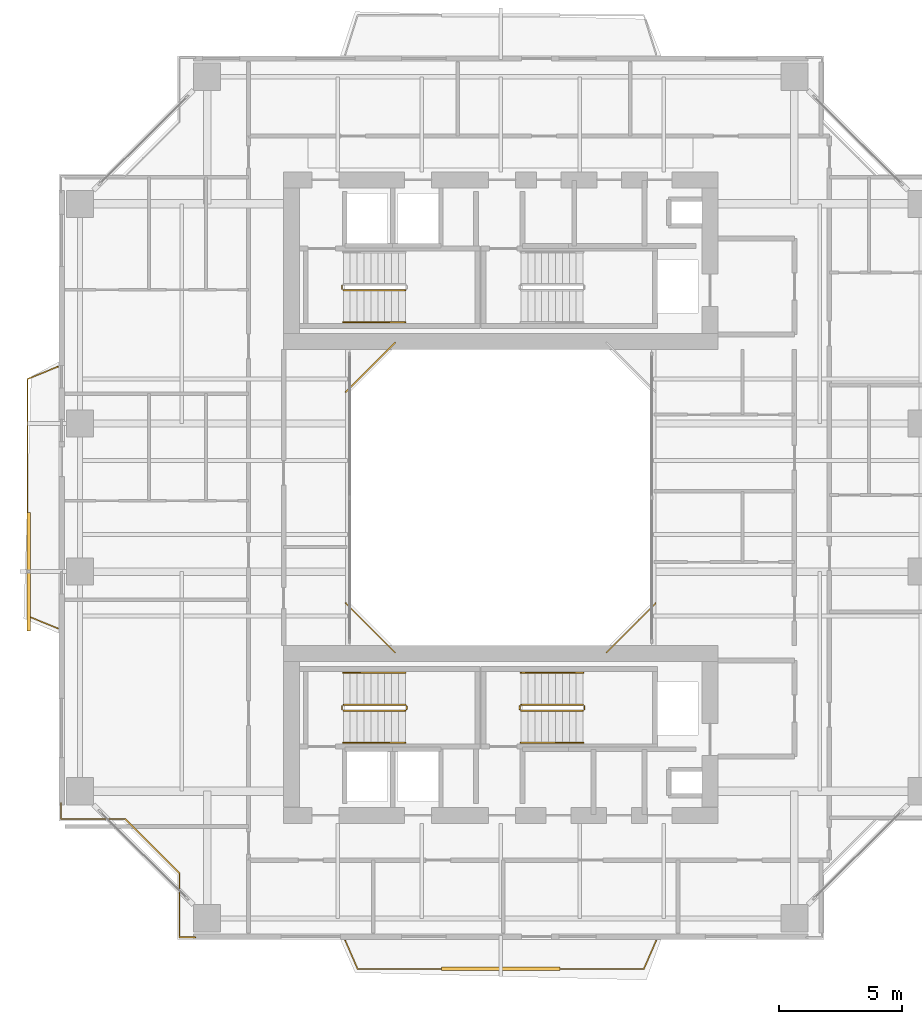
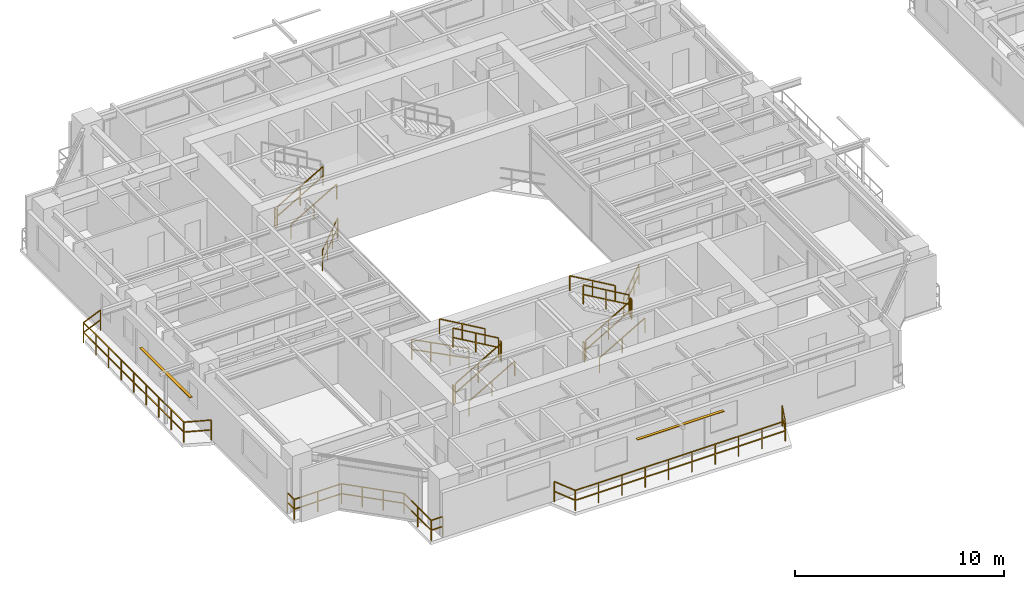
# One storey, part 21 of 24: 21 railings, 2 shading devices.
"""IFC4 building model written with IfcOpenShell, lengths in metres."""

from ifc_helpers import new_model, si_unit, direction, frame, origin, origin_2d, place, context, subcontext, project, spatial, rectangle, extrude, source, transform, mapped, material, material_profile, profile_set, type_object, element, save


model = new_model("IFC4")

# Units and contexts
model_context = context("Model", 3, precision=1e-05, world=origin(), true_north=direction((0.0, 1.0)))
body_context = subcontext(model_context, "Body", "Model", "MODEL_VIEW")
ifc_project = project(units=[si_unit("LENGTHUNIT", "METRE"), si_unit("AREAUNIT", "SQUARE_METRE"), si_unit("VOLUMEUNIT", "CUBIC_METRE"), si_unit("PLANEANGLEUNIT", "RADIAN"), si_unit("MASSUNIT", "GRAM", prefix="KILO"), si_unit("THERMODYNAMICTEMPERATUREUNIT", "KELVIN"), si_unit("POWERUNIT", "WATT")], contexts=[model_context])

# Site, building, storey
site_placement = place(None, origin())
site = spatial("IfcSite", under=ifc_project, at=site_placement, CompositionType="ELEMENT")
building_placement = place(site_placement, origin())
building = spatial("IfcBuilding", under=site, at=building_placement, Name="Qiaomeng Ring Towers", CompositionType="ELEMENT")
storey_placement = place(building_placement, frame((0.0, 0.0, 110.0)))
storey = spatial("IfcBuildingStorey", under=building, at=storey_placement, Name="L31", CompositionType="ELEMENT", Elevation=110.0)

# Railings
ifc_material_1 = material(Name="Low-E pale-green laminated safety glass", Category="glass")
railing_type_1 = type_object("IfcRailingType", Name="ARC-RL-BAL1", PredefinedType="BALUSTRADE", material=ifc_material_1)
railing_1_placement = place(storey_placement, frame((23.280029296875, 16.719970703125, 0.0)))
element("IfcRailing", 1, at=railing_1_placement, inside=storey, type_object=railing_type_1, Name="L31 Balustrade ARC-BAL-WELL1-L31-1", PredefinedType="BALUSTRADE", context=body_context, shape_type="SweptSolid", body=[
    extrude(rectangle(XDim=0.048095703125, YDim=0.048095703125, at=origin_2d()), frame((0.0, 0.0, 1.17578125), z_axis=(0.707106781187, 0.707106781187, 0.0), x_axis=(-0.707106781187, 0.707106781187, 0.0)), (0.0, 0.0, 1.0), 2.828369140625),
    extrude(rectangle(XDim=0.048095703125, YDim=0.048095703125, at=origin_2d()), frame((0.0, 0.0, 0.60009765625), z_axis=(0.707106781187, 0.707106781187, 0.0), x_axis=(-0.707106781187, 0.707106781187, 0.0)), (0.0, 0.0, 1.0), 2.828369140625),
    extrude(rectangle(XDim=0.0419921875, YDim=0.0419921875, at=origin_2d()), origin(), (0.0, 0.0, 1.0), 1.15185546875),
    extrude(rectangle(XDim=0.0419921875, YDim=0.0419921875, at=origin_2d()), frame((0.666748046875, 0.666748046875, 0.0)), (0.0, 0.0, 1.0), 1.15185546875),
    extrude(rectangle(XDim=0.0419921875, YDim=0.0419921875, at=origin_2d()), frame((1.333251953125, 1.333251953125, 0.0)), (0.0, 0.0, 1.0), 1.15185546875),
    extrude(rectangle(XDim=0.0419921875, YDim=0.0419921875, at=origin_2d()), frame((2.0, 2.0, 0.0)), (0.0, 0.0, 1.0), 1.15185546875),
])
railing_2_placement = place(storey_placement, frame((14.719970703125, 29.280029296875, 0.0)))
element("IfcRailing", 2, at=railing_2_placement, inside=storey, type_object=railing_type_1, Name="L31 Balustrade ARC-BAL-WELL1-L31-3", PredefinedType="BALUSTRADE", context=body_context, shape_type="SweptSolid", body=[
    extrude(rectangle(XDim=0.048095703125, YDim=0.048095703125, at=origin_2d()), frame((0.0, 0.0, 1.17578125), z_axis=(-0.707106781187, -0.707106781187, 0.0), x_axis=(0.707106781187, -0.707106781187, 0.0)), (0.0, 0.0, 1.0), 2.828369140625),
    extrude(rectangle(XDim=0.048095703125, YDim=0.048095703125, at=origin_2d()), frame((0.0, 0.0, 0.60009765625), z_axis=(-0.707106781187, -0.707106781187, 0.0), x_axis=(0.707106781187, -0.707106781187, 0.0)), (0.0, 0.0, 1.0), 2.828369140625),
    extrude(rectangle(XDim=0.0419921875, YDim=0.0419921875, at=origin_2d()), origin(), (0.0, 0.0, 1.0), 1.15185546875),
    extrude(rectangle(XDim=0.0419921875, YDim=0.0419921875, at=origin_2d()), frame((-0.666748046875, -0.666748046875, 0.0)), (0.0, 0.0, 1.0), 1.15185546875),
    extrude(rectangle(XDim=0.0419921875, YDim=0.0419921875, at=origin_2d()), frame((-1.333251953125, -1.333251953125, 0.0)), (0.0, 0.0, 1.0), 1.15185546875),
    extrude(rectangle(XDim=0.0419921875, YDim=0.0419921875, at=origin_2d()), frame((-2.0, -2.0, 0.0)), (0.0, 0.0, 1.0), 1.15185546875),
])
railing_3_placement = place(storey_placement, frame((12.719970703125, 18.719970703125, 0.0)))
element("IfcRailing", 3, at=railing_3_placement, inside=storey, type_object=railing_type_1, Name="L31 Balustrade ARC-BAL-WELL1-L31-4", PredefinedType="BALUSTRADE", context=body_context, shape_type="SweptSolid", body=[
    extrude(rectangle(XDim=0.048095703125, YDim=0.048095703125, at=origin_2d()), frame((0.0, 0.0, 1.17578125), z_axis=(0.707106781187, -0.707106781187, 0.0), x_axis=(0.707106781187, 0.707106781187, 0.0)), (0.0, 0.0, 1.0), 2.828369140625),
    extrude(rectangle(XDim=0.048095703125, YDim=0.048095703125, at=origin_2d()), frame((0.0, 0.0, 0.60009765625), z_axis=(0.707106781187, -0.707106781187, 0.0), x_axis=(0.707106781187, 0.707106781187, 0.0)), (0.0, 0.0, 1.0), 2.828369140625),
    extrude(rectangle(XDim=0.0419921875, YDim=0.0419921875, at=origin_2d()), origin(), (0.0, 0.0, 1.0), 1.15185546875),
    extrude(rectangle(XDim=0.0419921875, YDim=0.0419921875, at=origin_2d()), frame((0.666748046875, -0.666748046875, 0.0)), (0.0, 0.0, 1.0), 1.15185546875),
    extrude(rectangle(XDim=0.0419921875, YDim=0.0419921875, at=origin_2d()), frame((1.333251953125, -1.333251953125, 0.0)), (0.0, 0.0, 1.0), 1.15185546875),
    extrude(rectangle(XDim=0.0419921875, YDim=0.0419921875, at=origin_2d()), frame((2.0, -2.0, 0.0)), (0.0, 0.0, 1.0), 1.15185546875),
])
railing_4_placement = place(storey_placement, frame((1.179931640625, 10.6298828125, 0.0)))
element("IfcRailing", 4, at=railing_4_placement, inside=storey, type_object=railing_type_1, Name="L31 Balustrade ARC-BAL-NOTCH1-L31-SW", PredefinedType="BALUSTRADE", context=body_context, shape_type="SweptSolid", body=[
    extrude(rectangle(XDim=0.048095703125, YDim=0.048095703125, at=origin_2d()), frame((0.0, 0.0, 1.17578125), z_axis=(0.0, -1.0, 0.0), x_axis=(1.0, 0.0, 0.0)), (0.0, 0.0, 1.0), 0.64990234375),
    extrude(rectangle(XDim=0.048095703125, YDim=0.048095703125, at=origin_2d()), frame((0.0, 0.0, 0.60009765625), z_axis=(0.0, -1.0, 0.0), x_axis=(1.0, 0.0, 0.0)), (0.0, 0.0, 1.0), 0.64990234375),
    extrude(rectangle(XDim=0.048095703125, YDim=0.048095703125, at=origin_2d()), frame((0.0, -0.64990234375, 1.17578125), z_axis=(1.0, 0.0, 0.0), x_axis=(0.0, 1.0, 0.0)), (0.0, 0.0, 1.0), 2.60009765625),
    extrude(rectangle(XDim=0.048095703125, YDim=0.048095703125, at=origin_2d()), frame((0.0, -0.64990234375, 0.60009765625), z_axis=(1.0, 0.0, 0.0), x_axis=(0.0, 1.0, 0.0)), (0.0, 0.0, 1.0), 2.60009765625),
    extrude(rectangle(XDim=0.048095703125, YDim=0.048095703125, at=origin_2d()), frame((2.60009765625, -0.64990234375, 1.17578125), z_axis=(0.707106781187, -0.707106781187, 0.0), x_axis=(0.707106781187, 0.707106781187, 0.0)), (0.0, 0.0, 1.0), 3.111083984375),
    extrude(rectangle(XDim=0.048095703125, YDim=0.048095703125, at=origin_2d()), frame((2.60009765625, -0.64990234375, 0.60009765625), z_axis=(0.707106781187, -0.707106781187, 0.0), x_axis=(0.707106781187, 0.707106781187, 0.0)), (0.0, 0.0, 1.0), 3.111083984375),
    extrude(rectangle(XDim=0.048095703125, YDim=0.048095703125, at=origin_2d()), frame((4.800048828125, -2.849853515625, 1.17578125), z_axis=(0.0, -1.0, 0.0), x_axis=(1.0, 0.0, 0.0)), (0.0, 0.0, 1.0), 2.60009765625),
    extrude(rectangle(XDim=0.048095703125, YDim=0.048095703125, at=origin_2d()), frame((4.800048828125, -2.849853515625, 0.60009765625), z_axis=(0.0, -1.0, 0.0), x_axis=(1.0, 0.0, 0.0)), (0.0, 0.0, 1.0), 2.60009765625),
    extrude(rectangle(XDim=0.048095703125, YDim=0.048095703125, at=origin_2d()), frame((4.800048828125, -5.449951171875, 1.17578125), z_axis=(1.0, 0.0, 0.0), x_axis=(0.0, 1.0, 0.0)), (0.0, 0.0, 1.0), 0.64990234375),
    extrude(rectangle(XDim=0.048095703125, YDim=0.048095703125, at=origin_2d()), frame((4.800048828125, -5.449951171875, 0.60009765625), z_axis=(1.0, 0.0, 0.0), x_axis=(0.0, 1.0, 0.0)), (0.0, 0.0, 1.0), 0.64990234375),
    extrude(rectangle(XDim=0.0419921875, YDim=0.0419921875, at=origin_2d()), origin(), (0.0, 0.0, 1.0), 1.15185546875),
    extrude(rectangle(XDim=0.0419921875, YDim=0.0419921875, at=origin_2d()), frame((0.0, -0.64990234375, 0.0)), (0.0, 0.0, 1.0), 1.15185546875),
    extrude(rectangle(XDim=0.0419921875, YDim=0.0419921875, at=origin_2d()), frame((1.300048828125, -0.64990234375, 0.0)), (0.0, 0.0, 1.0), 1.15185546875),
    extrude(rectangle(XDim=0.0419921875, YDim=0.0419921875, at=origin_2d()), frame((2.60009765625, -0.64990234375, 0.0)), (0.0, 0.0, 1.0), 1.15185546875),
    extrude(rectangle(XDim=0.0419921875, YDim=0.0419921875, at=origin_2d()), frame((3.33349609375, -1.38330078125, 0.0)), (0.0, 0.0, 1.0), 1.15185546875),
    extrude(rectangle(XDim=0.0419921875, YDim=0.0419921875, at=origin_2d()), frame((4.066650390625, -2.116455078125, 0.0)), (0.0, 0.0, 1.0), 1.15185546875),
    extrude(rectangle(XDim=0.0419921875, YDim=0.0419921875, at=origin_2d()), frame((4.800048828125, -2.849853515625, 0.0)), (0.0, 0.0, 1.0), 1.15185546875),
    extrude(rectangle(XDim=0.0419921875, YDim=0.0419921875, at=origin_2d()), frame((4.800048828125, -4.14990234375, 0.0)), (0.0, 0.0, 1.0), 1.15185546875),
    extrude(rectangle(XDim=0.0419921875, YDim=0.0419921875, at=origin_2d()), frame((4.800048828125, -5.449951171875, 0.0)), (0.0, 0.0, 1.0), 1.15185546875),
    extrude(rectangle(XDim=0.0419921875, YDim=0.0419921875, at=origin_2d()), frame((5.449951171875, -5.449951171875, 0.0)), (0.0, 0.0, 1.0), 1.15185546875),
])
railing_5_placement = place(storey_placement, frame((12.699951171875, 5.050048828125, 0.0)))
element("IfcRailing", 5, at=railing_5_placement, inside=storey, type_object=railing_type_1, Name="L31 Balustrade ARC-BAL-L31-T1-S", PredefinedType="BALUSTRADE", context=body_context, shape_type="SweptSolid", body=[
    extrude(rectangle(XDim=0.048095703125, YDim=0.048095703125, at=origin_2d()), frame((0.0, 0.0, 1.17578125), z_axis=(0.39868340127, -0.917088624699, 0.0), x_axis=(0.917088624699, 0.39868340127, 0.0)), (0.0, 0.0, 1.0), 1.254150390625),
    extrude(rectangle(XDim=0.048095703125, YDim=0.048095703125, at=origin_2d()), frame((0.0, 0.0, 0.60009765625), z_axis=(0.39868340127, -0.917088624699, 0.0), x_axis=(0.917088624699, 0.39868340127, 0.0)), (0.0, 0.0, 1.0), 1.254150390625),
    extrude(rectangle(XDim=0.048095703125, YDim=0.048095703125, at=origin_2d()), frame((0.5, -1.150146484375, 1.17578125), z_axis=(1.0, 0.0, 0.0), x_axis=(0.0, 1.0, 0.0)), (0.0, 0.0, 1.0), 11.60009765625),
    extrude(rectangle(XDim=0.048095703125, YDim=0.048095703125, at=origin_2d()), frame((0.5, -1.150146484375, 0.60009765625), z_axis=(1.0, 0.0, 0.0), x_axis=(0.0, 1.0, 0.0)), (0.0, 0.0, 1.0), 11.60009765625),
    extrude(rectangle(XDim=0.048095703125, YDim=0.048095703125, at=origin_2d()), frame((12.10009765625, -1.150146484375, 1.17578125), z_axis=(0.39868340127, 0.917088624699, 0.0), x_axis=(-0.917088624699, 0.39868340127, 0.0)), (0.0, 0.0, 1.0), 1.254150390625),
    extrude(rectangle(XDim=0.048095703125, YDim=0.048095703125, at=origin_2d()), frame((12.10009765625, -1.150146484375, 0.60009765625), z_axis=(0.39868340127, 0.917088624699, 0.0), x_axis=(-0.917088624699, 0.39868340127, 0.0)), (0.0, 0.0, 1.0), 1.254150390625),
    extrude(rectangle(XDim=0.0419921875, YDim=0.0419921875, at=origin_2d()), origin(), (0.0, 0.0, 1.0), 1.15185546875),
    extrude(rectangle(XDim=0.0419921875, YDim=0.0419921875, at=origin_2d()), frame((0.5, -1.150146484375, 0.0)), (0.0, 0.0, 1.0), 1.15185546875),
    extrude(rectangle(XDim=0.0419921875, YDim=0.0419921875, at=origin_2d()), frame((1.788818359375, -1.150146484375, 0.0)), (0.0, 0.0, 1.0), 1.15185546875),
    extrude(rectangle(XDim=0.0419921875, YDim=0.0419921875, at=origin_2d()), frame((3.077880859375, -1.150146484375, 0.0)), (0.0, 0.0, 1.0), 1.15185546875),
    extrude(rectangle(XDim=0.0419921875, YDim=0.0419921875, at=origin_2d()), frame((4.36669921875, -1.150146484375, 0.0)), (0.0, 0.0, 1.0), 1.15185546875),
    extrude(rectangle(XDim=0.0419921875, YDim=0.0419921875, at=origin_2d()), frame((5.655517578125, -1.150146484375, 0.0)), (0.0, 0.0, 1.0), 1.15185546875),
    extrude(rectangle(XDim=0.0419921875, YDim=0.0419921875, at=origin_2d()), frame((6.944580078125, -1.150146484375, 0.0)), (0.0, 0.0, 1.0), 1.15185546875),
    extrude(rectangle(XDim=0.0419921875, YDim=0.0419921875, at=origin_2d()), frame((8.2333984375, -1.150146484375, 0.0)), (0.0, 0.0, 1.0), 1.15185546875),
    extrude(rectangle(XDim=0.0419921875, YDim=0.0419921875, at=origin_2d()), frame((9.522216796875, -1.150146484375, 0.0)), (0.0, 0.0, 1.0), 1.15185546875),
    extrude(rectangle(XDim=0.0419921875, YDim=0.0419921875, at=origin_2d()), frame((10.811279296875, -1.150146484375, 0.0)), (0.0, 0.0, 1.0), 1.15185546875),
    extrude(rectangle(XDim=0.0419921875, YDim=0.0419921875, at=origin_2d()), frame((12.10009765625, -1.150146484375, 0.0)), (0.0, 0.0, 1.0), 1.15185546875),
    extrude(rectangle(XDim=0.0419921875, YDim=0.0419921875, at=origin_2d()), frame((12.60009765625, 0.0, 0.0)), (0.0, 0.0, 1.0), 1.15185546875),
])
railing_6_placement = place(storey_placement, frame((1.050048828125, 17.699951171875, 0.0)))
element("IfcRailing", 6, at=railing_6_placement, inside=storey, type_object=railing_type_1, Name="L31 Balustrade ARC-BAL-L31-T1-W", PredefinedType="BALUSTRADE", context=body_context, shape_type="SweptSolid", body=[
    extrude(rectangle(XDim=0.048095703125, YDim=0.048095703125, at=origin_2d()), frame((0.0, 0.0, 1.17578125), z_axis=(-0.926382398109, 0.376584190418, 0.0), x_axis=(-0.376584190418, -0.926382398109, 0.0)), (0.0, 0.0, 1.0), 1.32763671875),
    extrude(rectangle(XDim=0.048095703125, YDim=0.048095703125, at=origin_2d()), frame((0.0, 0.0, 0.60009765625), z_axis=(-0.926382398109, 0.376584190418, 0.0), x_axis=(-0.376584190418, -0.926382398109, 0.0)), (0.0, 0.0, 1.0), 1.32763671875),
    extrude(rectangle(XDim=0.048095703125, YDim=0.048095703125, at=origin_2d()), frame((-1.22998046875, 0.5, 1.17578125), z_axis=(0.0, 1.0, 0.0), x_axis=(-1.0, 0.0, 0.0)), (0.0, 0.0, 1.0), 9.60009765625),
    extrude(rectangle(XDim=0.048095703125, YDim=0.048095703125, at=origin_2d()), frame((-1.22998046875, 0.5, 0.60009765625), z_axis=(0.0, 1.0, 0.0), x_axis=(-1.0, 0.0, 0.0)), (0.0, 0.0, 1.0), 9.60009765625),
    extrude(rectangle(XDim=0.048095703125, YDim=0.048095703125, at=origin_2d()), frame((-1.22998046875, 10.10009765625, 1.17578125), z_axis=(0.926382398109, 0.376584190418, 0.0), x_axis=(-0.376584190418, 0.926382398109, 0.0)), (0.0, 0.0, 1.0), 1.32763671875),
    extrude(rectangle(XDim=0.048095703125, YDim=0.048095703125, at=origin_2d()), frame((-1.22998046875, 10.10009765625, 0.60009765625), z_axis=(0.926382398109, 0.376584190418, 0.0), x_axis=(-0.376584190418, 0.926382398109, 0.0)), (0.0, 0.0, 1.0), 1.32763671875),
    extrude(rectangle(XDim=0.0419921875, YDim=0.0419921875, at=origin_2d()), origin(), (0.0, 0.0, 1.0), 1.15185546875),
    extrude(rectangle(XDim=0.0419921875, YDim=0.0419921875, at=origin_2d()), frame((-1.22998046875, 0.5, 0.0)), (0.0, 0.0, 1.0), 1.15185546875),
    extrude(rectangle(XDim=0.0419921875, YDim=0.0419921875, at=origin_2d()), frame((-1.22998046875, 1.699951171875, 0.0)), (0.0, 0.0, 1.0), 1.15185546875),
    extrude(rectangle(XDim=0.0419921875, YDim=0.0419921875, at=origin_2d()), frame((-1.22998046875, 2.89990234375, 0.0)), (0.0, 0.0, 1.0), 1.15185546875),
    extrude(rectangle(XDim=0.0419921875, YDim=0.0419921875, at=origin_2d()), frame((-1.22998046875, 4.10009765625, 0.0)), (0.0, 0.0, 1.0), 1.15185546875),
    extrude(rectangle(XDim=0.0419921875, YDim=0.0419921875, at=origin_2d()), frame((-1.22998046875, 5.300048828125, 0.0)), (0.0, 0.0, 1.0), 1.15185546875),
    extrude(rectangle(XDim=0.0419921875, YDim=0.0419921875, at=origin_2d()), frame((-1.22998046875, 6.5, 0.0)), (0.0, 0.0, 1.0), 1.15185546875),
    extrude(rectangle(XDim=0.0419921875, YDim=0.0419921875, at=origin_2d()), frame((-1.22998046875, 7.7001953125, 0.0)), (0.0, 0.0, 1.0), 1.15185546875),
    extrude(rectangle(XDim=0.0419921875, YDim=0.0419921875, at=origin_2d()), frame((-1.22998046875, 8.900146484375, 0.0)), (0.0, 0.0, 1.0), 1.15185546875),
    extrude(rectangle(XDim=0.0419921875, YDim=0.0419921875, at=origin_2d()), frame((-1.22998046875, 10.10009765625, 0.0)), (0.0, 0.0, 1.0), 1.15185546875),
    extrude(rectangle(XDim=0.0419921875, YDim=0.0419921875, at=origin_2d()), frame((0.0, 10.60009765625, 0.0)), (0.0, 0.0, 1.0), 1.15185546875),
])
ifc_material_2 = material(Name="Galvanised steel", Category="steel")
railing_type_2 = type_object("IfcRailingType", Name="ARC-RL-GUARD", PredefinedType="GUARDRAIL", material=ifc_material_2)
railing_7_placement = place(storey_placement, frame((12.6201171875, 31.39990234375, 0.16259765625)))
element("IfcRailing", 7, at=railing_7_placement, inside=storey, type_object=railing_type_2, Name="L31 ST1 stair guard 1", PredefinedType="GUARDRAIL", context=body_context, shape_type="SweptSolid", body=[
    extrude(rectangle(XDim=0.048095703125, YDim=0.048095703125, at=origin_2d()), frame((0.0, 0.0, 1.1259765625), z_axis=(0.864892226395, 0.0, 0.501957604506), x_axis=(0.0, 1.0, 0.0)), (0.0, 0.0, 1.0), 2.913330078125),
    extrude(rectangle(XDim=0.048095703125, YDim=0.048095703125, at=origin_2d()), frame((0.0, 0.0, 0.574951171875), z_axis=(0.864892226395, 0.0, 0.501957604506), x_axis=(0.0, 1.0, 0.0)), (0.0, 0.0, 1.0), 2.913330078125),
    extrude(rectangle(XDim=0.0419921875, YDim=0.0419921875, at=origin_2d()), origin(), (0.0, 0.0, 1.0), 1.101806640625),
    extrude(rectangle(XDim=0.0419921875, YDim=0.0419921875, at=origin_2d()), frame((1.259765625, 0.0, 0.731201171875)), (0.0, 0.0, 1.0), 1.101806640625),
    extrude(rectangle(XDim=0.0419921875, YDim=0.0419921875, at=origin_2d()), frame((2.519775390625, 0.0, 1.46240234375)), (0.0, 0.0, 1.0), 1.101806640625),
])
railing_8_placement = place(storey_placement, frame((12.570068359375, 31.449951171875, 0.0)))
element("IfcRailing", 8, at=railing_8_placement, inside=storey, type_object=railing_type_2, Name="L31 ST1 stair guard 4", PredefinedType="GUARDRAIL", context=body_context, shape_type="SweptSolid", body=[
    extrude(rectangle(XDim=0.048095703125, YDim=0.048095703125, at=origin_2d()), frame((0.0, 0.0, 1.1259765625), z_axis=(0.0, 1.0, 0.0), x_axis=(-1.0, 0.0, 0.0)), (0.0, 0.0, 1.0), 0.14013671875),
    extrude(rectangle(XDim=0.048095703125, YDim=0.048095703125, at=origin_2d()), frame((0.0, 0.0, 0.574951171875), z_axis=(0.0, 1.0, 0.0), x_axis=(-1.0, 0.0, 0.0)), (0.0, 0.0, 1.0), 0.14013671875),
    extrude(rectangle(XDim=0.0419921875, YDim=0.0419921875, at=origin_2d()), origin(), (0.0, 0.0, 1.0), 1.101806640625),
    extrude(rectangle(XDim=0.0419921875, YDim=0.0419921875, at=origin_2d()), frame((0.0, 0.14013671875, 0.0)), (0.0, 0.0, 1.0), 1.101806640625),
])
railing_9_placement = place(storey_placement, frame((12.6201171875, 14.360107421875, 0.16259765625)))
element("IfcRailing", 9, at=railing_9_placement, inside=storey, type_object=railing_type_2, Name="L31 ST3 stair guard 1", PredefinedType="GUARDRAIL", context=body_context, shape_type="SweptSolid", body=[
    extrude(rectangle(XDim=0.048095703125, YDim=0.048095703125, at=origin_2d()), frame((0.0, 0.0, 1.1259765625), z_axis=(0.864892226395, 0.0, 0.501957604506), x_axis=(0.0, 1.0, 0.0)), (0.0, 0.0, 1.0), 2.913330078125),
    extrude(rectangle(XDim=0.048095703125, YDim=0.048095703125, at=origin_2d()), frame((0.0, 0.0, 0.574951171875), z_axis=(0.864892226395, 0.0, 0.501957604506), x_axis=(0.0, 1.0, 0.0)), (0.0, 0.0, 1.0), 2.913330078125),
    extrude(rectangle(XDim=0.0419921875, YDim=0.0419921875, at=origin_2d()), origin(), (0.0, 0.0, 1.0), 1.101806640625),
    extrude(rectangle(XDim=0.0419921875, YDim=0.0419921875, at=origin_2d()), frame((1.259765625, 0.0, 0.731201171875)), (0.0, 0.0, 1.0), 1.101806640625),
    extrude(rectangle(XDim=0.0419921875, YDim=0.0419921875, at=origin_2d()), frame((2.519775390625, 0.0, 1.46240234375)), (0.0, 0.0, 1.0), 1.101806640625),
])
railing_10_placement = place(storey_placement, frame((15.18994140625, 14.409912109375, 1.625)))
element("IfcRailing", 10, at=railing_10_placement, inside=storey, type_object=railing_type_2, Name="L31 ST3 stair guard 2", PredefinedType="GUARDRAIL", context=body_context, shape_type="SweptSolid", body=[
    extrude(rectangle(XDim=0.048095703125, YDim=0.048095703125, at=origin_2d()), frame((0.0, 0.0, 1.1259765625), z_axis=(0.0, 1.0, 0.0), x_axis=(-1.0, 0.0, 0.0)), (0.0, 0.0, 1.0), 0.14013671875),
    extrude(rectangle(XDim=0.048095703125, YDim=0.048095703125, at=origin_2d()), frame((0.0, 0.0, 0.574951171875), z_axis=(0.0, 1.0, 0.0), x_axis=(-1.0, 0.0, 0.0)), (0.0, 0.0, 1.0), 0.14013671875),
    extrude(rectangle(XDim=0.0419921875, YDim=0.0419921875, at=origin_2d()), origin(), (0.0, 0.0, 1.0), 1.101806640625),
    extrude(rectangle(XDim=0.0419921875, YDim=0.0419921875, at=origin_2d()), frame((0.0, 0.14013671875, 0.0)), (0.0, 0.0, 1.0), 1.101806640625),
])
railing_11_placement = place(storey_placement, frame((15.139892578125, 14.60009765625, 1.78759765625)))
element("IfcRailing", 11, at=railing_11_placement, inside=storey, type_object=railing_type_2, Name="L31 ST3 stair guard 3", PredefinedType="GUARDRAIL", context=body_context, shape_type="SweptSolid", body=[
    extrude(rectangle(XDim=0.048095703125, YDim=0.048095703125, at=origin_2d()), frame((0.0, 0.0, 1.1259765625), z_axis=(-0.864892226395, 0.0, 0.501957604506), x_axis=(0.0, -1.0, 0.0)), (0.0, 0.0, 1.0), 2.913330078125),
    extrude(rectangle(XDim=0.048095703125, YDim=0.048095703125, at=origin_2d()), frame((0.0, 0.0, 0.574951171875), z_axis=(-0.864892226395, 0.0, 0.501957604506), x_axis=(0.0, -1.0, 0.0)), (0.0, 0.0, 1.0), 2.913330078125),
    extrude(rectangle(XDim=0.0419921875, YDim=0.0419921875, at=origin_2d()), origin(), (0.0, 0.0, 1.0), 1.101806640625),
    extrude(rectangle(XDim=0.0419921875, YDim=0.0419921875, at=origin_2d()), frame((-1.259765625, 0.0, 0.731201171875)), (0.0, 0.0, 1.0), 1.101806640625),
    extrude(rectangle(XDim=0.0419921875, YDim=0.0419921875, at=origin_2d()), frame((-2.519775390625, 0.0, 1.46240234375)), (0.0, 0.0, 1.0), 1.101806640625),
])
railing_12_placement = place(storey_placement, frame((12.570068359375, 14.409912109375, 0.0)))
element("IfcRailing", 12, at=railing_12_placement, inside=storey, type_object=railing_type_2, Name="L31 ST3 stair guard 4", PredefinedType="GUARDRAIL", context=body_context, shape_type="SweptSolid", body=[
    extrude(rectangle(XDim=0.048095703125, YDim=0.048095703125, at=origin_2d()), frame((0.0, 0.0, 1.1259765625), z_axis=(0.0, 1.0, 0.0), x_axis=(-1.0, 0.0, 0.0)), (0.0, 0.0, 1.0), 0.14013671875),
    extrude(rectangle(XDim=0.048095703125, YDim=0.048095703125, at=origin_2d()), frame((0.0, 0.0, 0.574951171875), z_axis=(0.0, 1.0, 0.0), x_axis=(-1.0, 0.0, 0.0)), (0.0, 0.0, 1.0), 0.14013671875),
    extrude(rectangle(XDim=0.0419921875, YDim=0.0419921875, at=origin_2d()), origin(), (0.0, 0.0, 1.0), 1.101806640625),
    extrude(rectangle(XDim=0.0419921875, YDim=0.0419921875, at=origin_2d()), frame((0.0, 0.14013671875, 0.0)), (0.0, 0.0, 1.0), 1.101806640625),
])
railing_13_placement = place(storey_placement, frame((19.820068359375, 14.360107421875, 0.16259765625)))
element("IfcRailing", 13, at=railing_13_placement, inside=storey, type_object=railing_type_2, Name="L31 ST4 stair guard 1", PredefinedType="GUARDRAIL", context=body_context, shape_type="SweptSolid", body=[
    extrude(rectangle(XDim=0.048095703125, YDim=0.048095703125, at=origin_2d()), frame((0.0, 0.0, 1.1259765625), z_axis=(0.864913338283, 0.0, 0.50192122615), x_axis=(0.0, 1.0, 0.0)), (0.0, 0.0, 1.0), 2.91357421875),
    extrude(rectangle(XDim=0.048095703125, YDim=0.048095703125, at=origin_2d()), frame((0.0, 0.0, 0.574951171875), z_axis=(0.864913338283, 0.0, 0.50192122615), x_axis=(0.0, 1.0, 0.0)), (0.0, 0.0, 1.0), 2.91357421875),
    extrude(rectangle(XDim=0.0419921875, YDim=0.0419921875, at=origin_2d()), origin(), (0.0, 0.0, 1.0), 1.101806640625),
    extrude(rectangle(XDim=0.0419921875, YDim=0.0419921875, at=origin_2d()), frame((1.260009765625, 0.0, 0.731201171875)), (0.0, 0.0, 1.0), 1.101806640625),
    extrude(rectangle(XDim=0.0419921875, YDim=0.0419921875, at=origin_2d()), frame((2.52001953125, 0.0, 1.46240234375)), (0.0, 0.0, 1.0), 1.101806640625),
])
railing_14_placement = place(storey_placement, frame((22.389892578125, 14.409912109375, 1.625)))
element("IfcRailing", 14, at=railing_14_placement, inside=storey, type_object=railing_type_2, Name="L31 ST4 stair guard 2", PredefinedType="GUARDRAIL", context=body_context, shape_type="SweptSolid", body=[
    extrude(rectangle(XDim=0.048095703125, YDim=0.048095703125, at=origin_2d()), frame((0.0, 0.0, 1.1259765625), z_axis=(0.0, 1.0, 0.0), x_axis=(-1.0, 0.0, 0.0)), (0.0, 0.0, 1.0), 0.14013671875),
    extrude(rectangle(XDim=0.048095703125, YDim=0.048095703125, at=origin_2d()), frame((0.0, 0.0, 0.574951171875), z_axis=(0.0, 1.0, 0.0), x_axis=(-1.0, 0.0, 0.0)), (0.0, 0.0, 1.0), 0.14013671875),
    extrude(rectangle(XDim=0.0419921875, YDim=0.0419921875, at=origin_2d()), origin(), (0.0, 0.0, 1.0), 1.101806640625),
    extrude(rectangle(XDim=0.0419921875, YDim=0.0419921875, at=origin_2d()), frame((0.0, 0.14013671875, 0.0)), (0.0, 0.0, 1.0), 1.101806640625),
])
railing_15_placement = place(storey_placement, frame((22.340087890625, 14.60009765625, 1.78759765625)))
element("IfcRailing", 15, at=railing_15_placement, inside=storey, type_object=railing_type_2, Name="L31 ST4 stair guard 3", PredefinedType="GUARDRAIL", context=body_context, shape_type="SweptSolid", body=[
    extrude(rectangle(XDim=0.048095703125, YDim=0.048095703125, at=origin_2d()), frame((0.0, 0.0, 1.1259765625), z_axis=(-0.864913338283, 0.0, 0.50192122615), x_axis=(0.0, -1.0, 0.0)), (0.0, 0.0, 1.0), 2.91357421875),
    extrude(rectangle(XDim=0.048095703125, YDim=0.048095703125, at=origin_2d()), frame((0.0, 0.0, 0.574951171875), z_axis=(-0.864913338283, 0.0, 0.50192122615), x_axis=(0.0, -1.0, 0.0)), (0.0, 0.0, 1.0), 2.91357421875),
    extrude(rectangle(XDim=0.0419921875, YDim=0.0419921875, at=origin_2d()), origin(), (0.0, 0.0, 1.0), 1.101806640625),
    extrude(rectangle(XDim=0.0419921875, YDim=0.0419921875, at=origin_2d()), frame((-1.260009765625, 0.0, 0.731201171875)), (0.0, 0.0, 1.0), 1.101806640625),
    extrude(rectangle(XDim=0.0419921875, YDim=0.0419921875, at=origin_2d()), frame((-2.52001953125, 0.0, 1.46240234375)), (0.0, 0.0, 1.0), 1.101806640625),
])
railing_16_placement = place(storey_placement, frame((19.77001953125, 14.409912109375, 0.0)))
element("IfcRailing", 16, at=railing_16_placement, inside=storey, type_object=railing_type_2, Name="L31 ST4 stair guard 4", PredefinedType="GUARDRAIL", context=body_context, shape_type="SweptSolid", body=[
    extrude(rectangle(XDim=0.048095703125, YDim=0.048095703125, at=origin_2d()), frame((0.0, 0.0, 1.1259765625), z_axis=(0.0, 1.0, 0.0), x_axis=(-1.0, 0.0, 0.0)), (0.0, 0.0, 1.0), 0.14013671875),
    extrude(rectangle(XDim=0.048095703125, YDim=0.048095703125, at=origin_2d()), frame((0.0, 0.0, 0.574951171875), z_axis=(0.0, 1.0, 0.0), x_axis=(-1.0, 0.0, 0.0)), (0.0, 0.0, 1.0), 0.14013671875),
    extrude(rectangle(XDim=0.0419921875, YDim=0.0419921875, at=origin_2d()), origin(), (0.0, 0.0, 1.0), 1.101806640625),
    extrude(rectangle(XDim=0.0419921875, YDim=0.0419921875, at=origin_2d()), frame((0.0, 0.14013671875, 0.0)), (0.0, 0.0, 1.0), 1.101806640625),
])
ifc_material_3 = material(Name="Stainless steel 316", Category="steel")
railing_type_3 = type_object("IfcRailingType", Name="ARC-RL-HAND", PredefinedType="HANDRAIL", material=ifc_material_3)
for number, where, name in (
    (17, (12.6201171875, 30.10009765625, 0.16259765625), "L31 ST1 stair handrail 1"),
    (18, (12.6201171875, 13.06005859375, 0.16259765625), "L31 ST3 stair handrail 1"),
):
    element("IfcRailing", number, at=place(storey_placement, frame(where)), inside=storey, type_object=railing_type_3, Name=name, PredefinedType="HANDRAIL", context=body_context, shape_type="SweptSolid", body=[
        extrude(rectangle(XDim=0.048095703125, YDim=0.048095703125, at=origin_2d()), frame((0.0, 0.0, 0.8759765625), z_axis=(0.864892226395, 0.0, 0.501957604506), x_axis=(0.0, 1.0, 0.0)), (0.0, 0.0, 1.0), 2.913330078125),
        extrude(rectangle(XDim=0.0419921875, YDim=0.0419921875, at=origin_2d()), origin(), (0.0, 0.0, 1.0), 0.851806640625),
        extrude(rectangle(XDim=0.0419921875, YDim=0.0419921875, at=origin_2d()), frame((1.259765625, 0.0, 0.731201171875)), (0.0, 0.0, 1.0), 0.851806640625),
        extrude(rectangle(XDim=0.0419921875, YDim=0.0419921875, at=origin_2d()), frame((2.519775390625, 0.0, 1.46240234375)), (0.0, 0.0, 1.0), 0.851806640625),
    ])
railing_17_placement = place(storey_placement, frame((15.139892578125, 15.89990234375, 1.78759765625)))
element("IfcRailing", 19, at=railing_17_placement, inside=storey, type_object=railing_type_3, Name="L31 ST3 stair handrail 2", PredefinedType="HANDRAIL", context=body_context, shape_type="SweptSolid", body=[
    extrude(rectangle(XDim=0.048095703125, YDim=0.048095703125, at=origin_2d()), frame((0.0, 0.0, 0.8759765625), z_axis=(-0.864892226395, 0.0, 0.501957604506), x_axis=(0.0, -1.0, 0.0)), (0.0, 0.0, 1.0), 2.913330078125),
    extrude(rectangle(XDim=0.0419921875, YDim=0.0419921875, at=origin_2d()), origin(), (0.0, 0.0, 1.0), 0.851806640625),
    extrude(rectangle(XDim=0.0419921875, YDim=0.0419921875, at=origin_2d()), frame((-1.259765625, 0.0, 0.731201171875)), (0.0, 0.0, 1.0), 0.851806640625),
    extrude(rectangle(XDim=0.0419921875, YDim=0.0419921875, at=origin_2d()), frame((-2.519775390625, 0.0, 1.46240234375)), (0.0, 0.0, 1.0), 0.851806640625),
])
railing_18_placement = place(storey_placement, frame((19.820068359375, 13.06005859375, 0.16259765625)))
element("IfcRailing", 20, at=railing_18_placement, inside=storey, type_object=railing_type_3, Name="L31 ST4 stair handrail 1", PredefinedType="HANDRAIL", context=body_context, shape_type="SweptSolid", body=[
    extrude(rectangle(XDim=0.048095703125, YDim=0.048095703125, at=origin_2d()), frame((0.0, 0.0, 0.8759765625), z_axis=(0.864913338283, 0.0, 0.50192122615), x_axis=(0.0, 1.0, 0.0)), (0.0, 0.0, 1.0), 2.91357421875),
    extrude(rectangle(XDim=0.0419921875, YDim=0.0419921875, at=origin_2d()), origin(), (0.0, 0.0, 1.0), 0.851806640625),
    extrude(rectangle(XDim=0.0419921875, YDim=0.0419921875, at=origin_2d()), frame((1.260009765625, 0.0, 0.731201171875)), (0.0, 0.0, 1.0), 0.851806640625),
    extrude(rectangle(XDim=0.0419921875, YDim=0.0419921875, at=origin_2d()), frame((2.52001953125, 0.0, 1.46240234375)), (0.0, 0.0, 1.0), 0.851806640625),
])
railing_19_placement = place(storey_placement, frame((22.340087890625, 15.89990234375, 1.78759765625)))
element("IfcRailing", 21, at=railing_19_placement, inside=storey, type_object=railing_type_3, Name="L31 ST4 stair handrail 2", PredefinedType="HANDRAIL", context=body_context, shape_type="SweptSolid", body=[
    extrude(rectangle(XDim=0.048095703125, YDim=0.048095703125, at=origin_2d()), frame((0.0, 0.0, 0.8759765625), z_axis=(-0.864913338283, 0.0, 0.50192122615), x_axis=(0.0, -1.0, 0.0)), (0.0, 0.0, 1.0), 2.91357421875),
    extrude(rectangle(XDim=0.0419921875, YDim=0.0419921875, at=origin_2d()), origin(), (0.0, 0.0, 1.0), 0.851806640625),
    extrude(rectangle(XDim=0.0419921875, YDim=0.0419921875, at=origin_2d()), frame((-1.260009765625, 0.0, 0.731201171875)), (0.0, 0.0, 1.0), 0.851806640625),
    extrude(rectangle(XDim=0.0419921875, YDim=0.0419921875, at=origin_2d()), frame((-2.52001953125, 0.0, 1.46240234375)), (0.0, 0.0, 1.0), 0.851806640625),
])

# Shading devices
ifc_material_4 = material(Name="Fluorocarbon dark-grey aluminium", Category="aluminium")
ifc_material_profile = material_profile(ifc_material_4, rectangle(XDim=0.14990234375, YDim=0.034912109375, at=origin_2d()), Name="LV BLADE 150x35")
ifc_profile_set = profile_set([ifc_material_profile], Name="Fluorocarbon dark-grey aluminium")
shading_device_type = type_object("IfcShadingDeviceType", Name="ARC-SHD-SUN", PredefinedType="AWNING", material=ifc_profile_set)
shared_shape = source(origin(), body_context, "Body", "SweptSolid", [
    extrude(rectangle(XDim=0.14990234375, YDim=0.034912109375, at=origin_2d()), origin(), (0.0, 0.0, 1.0), 4.7998046875),
])
for number, where, z_axis, x_axis, name in (
    (22, (16.60009765625, 3.89990234375, 2.969970703125), (1.0, 0.0, 0.0), (0.0, 1.0, 0.0), "L31 Ventilated Outer-Skin Sunshade S"),
    (23, (-0.1298828125, 17.60009765625, 2.969970703125), (0.0, 1.0, 0.0), (-1.0, 0.0, 0.0), "L31 Ventilated Outer-Skin Sunshade W"),
):
    element("IfcShadingDevice", number, at=place(storey_placement, frame(where, z_axis=z_axis, x_axis=x_axis)), inside=storey, type_object=shading_device_type, Name=name, PredefinedType="AWNING", context=body_context, shape_type="MappedRepresentation", body=[
        mapped(shared_shape, transform((0.0, 0.0, 0.0), x_axis=(1.0, 0.0, 0.0), y_axis=(0.0, 1.0, 0.0), z_axis=(0.0, 0.0, 1.0), scale=1.0)),
    ])

save(model, "model.ifc")
